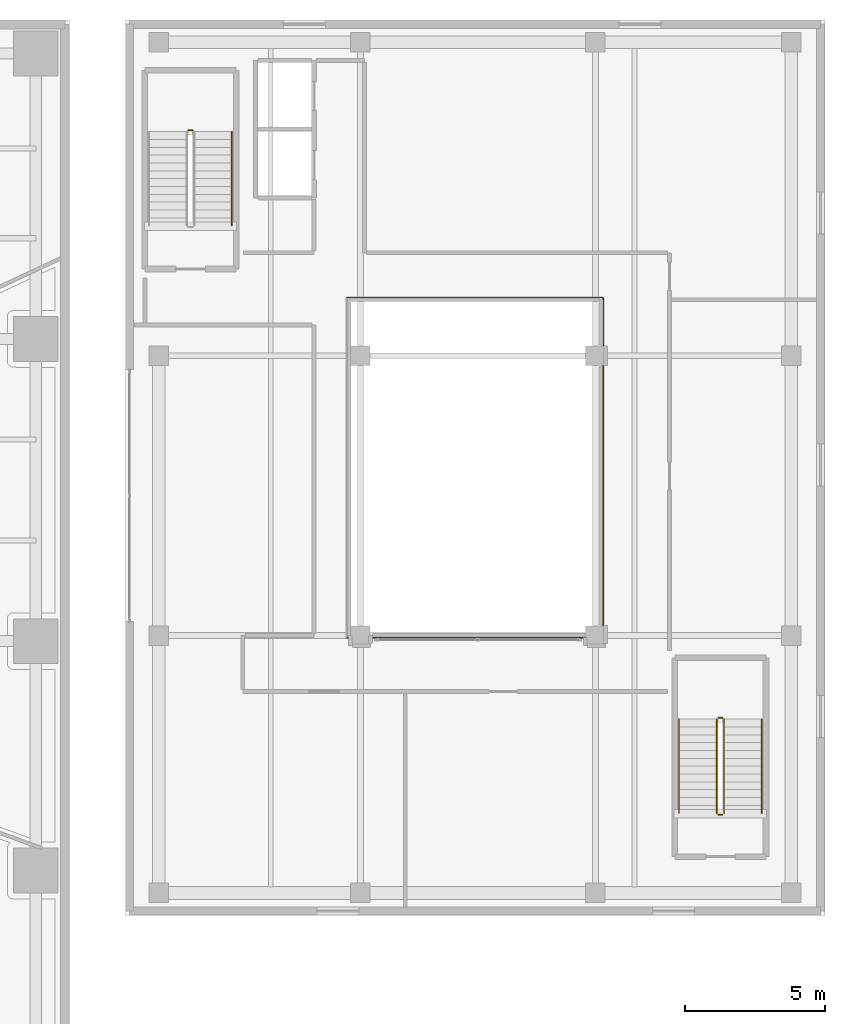
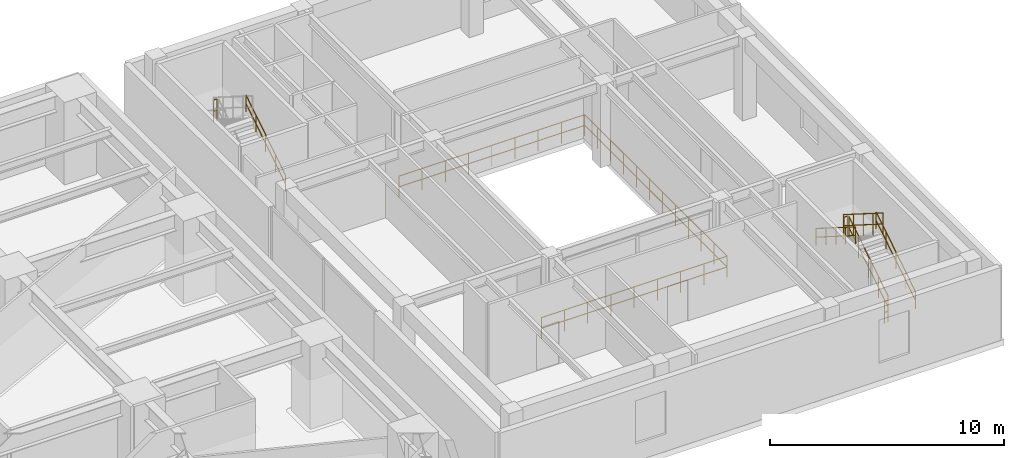
# One storey, part 25 of 25: 11 railings.
"""IFC4 building model written with IfcOpenShell, lengths in metres."""

from ifc_helpers import new_model, si_unit, direction, frame, origin, origin_2d, place, context, subcontext, project, spatial, circle, extrude, material, type_object, element, save


model = new_model("IFC4")

# Units and contexts
model_context = context("Model", 3, precision=1e-05, world=origin(), true_north=direction((0.0, 1.0)))
body_context = subcontext(model_context, "Body", "Model", "MODEL_VIEW")
ifc_project = project(units=[si_unit("LENGTHUNIT", "METRE"), si_unit("AREAUNIT", "SQUARE_METRE"), si_unit("VOLUMEUNIT", "CUBIC_METRE"), si_unit("PLANEANGLEUNIT", "RADIAN"), si_unit("MASSUNIT", "GRAM", prefix="KILO")], contexts=[model_context])

# Site, building, storey
site_placement = place(None, origin())
site = spatial("IfcSite", under=ifc_project, at=site_placement, CompositionType="ELEMENT")
building_placement = place(site_placement, origin())
building = spatial("IfcBuilding", under=site, at=building_placement, Name="Talar Marvaseh", CompositionType="ELEMENT")
storey_placement = place(building_placement, frame((0.0, 0.0, 5.199951171875)))
storey = spatial("IfcBuildingStorey", under=building, at=storey_placement, Name="L01", CompositionType="ELEMENT", Elevation=5.199951171875)

# Railings
ifc_material_1 = material(Name="Stainless Steel Grade 316", Category="steel")
railing_type_1 = type_object("IfcRailingType", Name="Brushed Stainless Wall Pitch Handrail 900", PredefinedType="HANDRAIL", material=ifc_material_1)
for number, where, name in (
    (1, (57.81005859375, 40.64990234375, 0.177001953125), "L01 MH-ST1 stair handrail 1"),
    (2, (76.75, 19.64990234375, 0.177001953125), "L01 MH-ST2 stair handrail 1"),
):
    element("IfcRailing", number, at=place(storey_placement, frame(where)), inside=storey, type_object=railing_type_1, Name=name, PredefinedType="HANDRAIL", context=body_context, shape_type="SweptSolid", body=[
        extrude(circle(Radius=0.02392578125, at=origin_2d()), frame((0.0, 0.0, 0.8759765625), z_axis=(0.0, 0.845389635667, 0.534150132366), x_axis=(-1.0, 0.0, 0.0)), (0.0, 0.0, 1.0), 3.974609375),
        extrude(circle(Radius=0.02392578125, at=origin_2d()), frame((0.0, 0.0, 0.42578125), z_axis=(0.0, 0.845389635667, 0.534150132366), x_axis=(-1.0, 0.0, 0.0)), (0.0, 0.0, 1.0), 3.974609375),
        extrude(circle(Radius=0.02099609375, at=origin_2d()), origin(), (0.0, 0.0, 1.0), 0.851806640625),
        extrude(circle(Radius=0.02099609375, at=origin_2d()), frame((0.0, 0.840087890625, 0.53076171875)), (0.0, 0.0, 1.0), 0.851806640625),
        extrude(circle(Radius=0.02099609375, at=origin_2d()), frame((0.0, 1.68017578125, 1.0615234375)), (0.0, 0.0, 1.0), 0.851806640625),
        extrude(circle(Radius=0.02099609375, at=origin_2d()), frame((0.0, 2.52001953125, 1.59228515625)), (0.0, 0.0, 1.0), 0.851806640625),
        extrude(circle(Radius=0.02099609375, at=origin_2d()), frame((0.0, 3.360107421875, 2.123046875)), (0.0, 0.0, 1.0), 0.851806640625),
    ])
railing_1_placement = place(storey_placement, frame((73.7900390625, 23.010009765625, 2.47705078125)))
element("IfcRailing", 3, at=railing_1_placement, inside=storey, type_object=railing_type_1, Name="L01 MH-ST2 stair handrail 2", PredefinedType="HANDRAIL", context=body_context, shape_type="SweptSolid", body=[
    extrude(circle(Radius=0.02392578125, at=origin_2d()), frame((0.0, 0.0, 0.8759765625), z_axis=(0.0, -0.845389635667, 0.534150132366), x_axis=(1.0, 0.0, 0.0)), (0.0, 0.0, 1.0), 3.974609375),
    extrude(circle(Radius=0.02392578125, at=origin_2d()), frame((0.0, 0.0, 0.42578125), z_axis=(0.0, -0.845389635667, 0.534150132366), x_axis=(1.0, 0.0, 0.0)), (0.0, 0.0, 1.0), 3.974609375),
    extrude(circle(Radius=0.02099609375, at=origin_2d()), origin(), (0.0, 0.0, 1.0), 0.851806640625),
    extrude(circle(Radius=0.02099609375, at=origin_2d()), frame((0.0, -0.840087890625, 0.53076171875)), (0.0, 0.0, 1.0), 0.851806640625),
    extrude(circle(Radius=0.02099609375, at=origin_2d()), frame((0.0, -1.68017578125, 1.0615234375)), (0.0, 0.0, 1.0), 0.851806640625),
    extrude(circle(Radius=0.02099609375, at=origin_2d()), frame((0.0, -2.52001953125, 1.59228515625)), (0.0, 0.0, 1.0), 0.851806640625),
    extrude(circle(Radius=0.02099609375, at=origin_2d()), frame((0.0, -3.360107421875, 2.123046875)), (0.0, 0.0, 1.0), 0.851806640625),
])
ifc_material_2 = material(Name="Tempered Clear Glass", Category="glass")
railing_type_2 = type_object("IfcRailingType", Name="Interior Atrium Edge Balustrade 1120", PredefinedType="BALUSTRADE", material=ifc_material_2)
railing_2_placement = place(storey_placement, frame((61.919921875, 25.919921875, 0.0)))
element("IfcRailing", 4, at=railing_2_placement, inside=storey, type_object=railing_type_2, Name="L01 Market Courtyard Void Balustrade 1", PredefinedType="BALUSTRADE", context=body_context, shape_type="SweptSolid", body=[
    extrude(circle(Radius=0.02392578125, at=origin_2d()), frame((0.0, 0.0, 1.09619140625), z_axis=(1.0, 0.0, 0.0), x_axis=(0.0, 1.0, 0.0)), (0.0, 0.0, 1.0), 9.16015625),
    extrude(circle(Radius=0.02392578125, at=origin_2d()), frame((0.0, 0.0, 0.5361328125), z_axis=(1.0, 0.0, 0.0), x_axis=(0.0, 1.0, 0.0)), (0.0, 0.0, 1.0), 9.16015625),
    extrude(circle(Radius=0.02099609375, at=origin_2d()), origin(), (0.0, 0.0, 1.0), 1.072021484375),
    extrude(circle(Radius=0.02099609375, at=origin_2d()), frame((1.14501953125, 0.0, 0.0)), (0.0, 0.0, 1.0), 1.072021484375),
    extrude(circle(Radius=0.02099609375, at=origin_2d()), frame((2.2900390625, 0.0, 0.0)), (0.0, 0.0, 1.0), 1.072021484375),
    extrude(circle(Radius=0.02099609375, at=origin_2d()), frame((3.43505859375, 0.0, 0.0)), (0.0, 0.0, 1.0), 1.072021484375),
    extrude(circle(Radius=0.02099609375, at=origin_2d()), frame((4.580078125, 0.0, 0.0)), (0.0, 0.0, 1.0), 1.072021484375),
    extrude(circle(Radius=0.02099609375, at=origin_2d()), frame((5.72509765625, 0.0, 0.0)), (0.0, 0.0, 1.0), 1.072021484375),
    extrude(circle(Radius=0.02099609375, at=origin_2d()), frame((6.8701171875, 0.0, 0.0)), (0.0, 0.0, 1.0), 1.072021484375),
    extrude(circle(Radius=0.02099609375, at=origin_2d()), frame((8.01513671875, 0.0, 0.0)), (0.0, 0.0, 1.0), 1.072021484375),
    extrude(circle(Radius=0.02099609375, at=origin_2d()), frame((9.16015625, 0.0, 0.0)), (0.0, 0.0, 1.0), 1.072021484375),
])
railing_3_placement = place(storey_placement, frame((71.080078125, 25.919921875, 0.0)))
element("IfcRailing", 5, at=railing_3_placement, inside=storey, type_object=railing_type_2, Name="L01 Market Courtyard Void Balustrade 2", PredefinedType="BALUSTRADE", context=body_context, shape_type="SweptSolid", body=[
    extrude(circle(Radius=0.02392578125, at=origin_2d()), frame((0.0, 0.0, 1.09619140625), z_axis=(0.0, 1.0, 0.0), x_axis=(-1.0, 0.0, 0.0)), (0.0, 0.0, 1.0), 12.16015625),
    extrude(circle(Radius=0.02392578125, at=origin_2d()), frame((0.0, 0.0, 0.5361328125), z_axis=(0.0, 1.0, 0.0), x_axis=(-1.0, 0.0, 0.0)), (0.0, 0.0, 1.0), 12.16015625),
    extrude(circle(Radius=0.02099609375, at=origin_2d()), origin(), (0.0, 0.0, 1.0), 1.072021484375),
    extrude(circle(Radius=0.02099609375, at=origin_2d()), frame((0.0, 1.10546875, 0.0)), (0.0, 0.0, 1.0), 1.072021484375),
    extrude(circle(Radius=0.02099609375, at=origin_2d()), frame((0.0, 2.2109375, 0.0)), (0.0, 0.0, 1.0), 1.072021484375),
    extrude(circle(Radius=0.02099609375, at=origin_2d()), frame((0.0, 3.31640625, 0.0)), (0.0, 0.0, 1.0), 1.072021484375),
    extrude(circle(Radius=0.02099609375, at=origin_2d()), frame((0.0, 4.421875, 0.0)), (0.0, 0.0, 1.0), 1.072021484375),
    extrude(circle(Radius=0.02099609375, at=origin_2d()), frame((0.0, 5.52734375, 0.0)), (0.0, 0.0, 1.0), 1.072021484375),
    extrude(circle(Radius=0.02099609375, at=origin_2d()), frame((0.0, 6.6328125, 0.0)), (0.0, 0.0, 1.0), 1.072021484375),
    extrude(circle(Radius=0.02099609375, at=origin_2d()), frame((0.0, 7.73828125, 0.0)), (0.0, 0.0, 1.0), 1.072021484375),
    extrude(circle(Radius=0.02099609375, at=origin_2d()), frame((0.0, 8.84375, 0.0)), (0.0, 0.0, 1.0), 1.072021484375),
    extrude(circle(Radius=0.02099609375, at=origin_2d()), frame((0.0, 9.94921875, 0.0)), (0.0, 0.0, 1.0), 1.072021484375),
    extrude(circle(Radius=0.02099609375, at=origin_2d()), frame((0.0, 11.0546875, 0.0)), (0.0, 0.0, 1.0), 1.072021484375),
    extrude(circle(Radius=0.02099609375, at=origin_2d()), frame((0.0, 12.16015625, 0.0)), (0.0, 0.0, 1.0), 1.072021484375),
])
railing_4_placement = place(storey_placement, frame((71.080078125, 38.080078125, 0.0)))
element("IfcRailing", 6, at=railing_4_placement, inside=storey, type_object=railing_type_2, Name="L01 Market Courtyard Void Balustrade 3", PredefinedType="BALUSTRADE", context=body_context, shape_type="SweptSolid", body=[
    extrude(circle(Radius=0.02392578125, at=origin_2d()), frame((0.0, 0.0, 1.09619140625), z_axis=(-1.0, 0.0, 0.0), x_axis=(0.0, -1.0, 0.0)), (0.0, 0.0, 1.0), 9.16015625),
    extrude(circle(Radius=0.02392578125, at=origin_2d()), frame((0.0, 0.0, 0.5361328125), z_axis=(-1.0, 0.0, 0.0), x_axis=(0.0, -1.0, 0.0)), (0.0, 0.0, 1.0), 9.16015625),
    extrude(circle(Radius=0.02099609375, at=origin_2d()), origin(), (0.0, 0.0, 1.0), 1.072021484375),
    extrude(circle(Radius=0.02099609375, at=origin_2d()), frame((-1.14501953125, 0.0, 0.0)), (0.0, 0.0, 1.0), 1.072021484375),
    extrude(circle(Radius=0.02099609375, at=origin_2d()), frame((-2.2900390625, 0.0, 0.0)), (0.0, 0.0, 1.0), 1.072021484375),
    extrude(circle(Radius=0.02099609375, at=origin_2d()), frame((-3.43505859375, 0.0, 0.0)), (0.0, 0.0, 1.0), 1.072021484375),
    extrude(circle(Radius=0.02099609375, at=origin_2d()), frame((-4.580078125, 0.0, 0.0)), (0.0, 0.0, 1.0), 1.072021484375),
    extrude(circle(Radius=0.02099609375, at=origin_2d()), frame((-5.72509765625, 0.0, 0.0)), (0.0, 0.0, 1.0), 1.072021484375),
    extrude(circle(Radius=0.02099609375, at=origin_2d()), frame((-6.8701171875, 0.0, 0.0)), (0.0, 0.0, 1.0), 1.072021484375),
    extrude(circle(Radius=0.02099609375, at=origin_2d()), frame((-8.01513671875, 0.0, 0.0)), (0.0, 0.0, 1.0), 1.072021484375),
    extrude(circle(Radius=0.02099609375, at=origin_2d()), frame((-9.16015625, 0.0, 0.0)), (0.0, 0.0, 1.0), 1.072021484375),
])
railing_type_3 = type_object("IfcRailingType", Name="Painted Steel Core Stair Well Guardrail 1150", PredefinedType="GUARDRAIL", material=ifc_material_1)
railing_5_placement = place(storey_placement, frame((56.409912109375, 44.06005859375, 2.300048828125)))
element("IfcRailing", 7, at=railing_5_placement, inside=storey, type_object=railing_type_3, Name="L01 MH-ST1 stair guard 2", PredefinedType="GUARDRAIL", context=body_context, shape_type="SweptSolid", body=[
    extrude(circle(Radius=0.02392578125, at=origin_2d()), frame((0.0, 0.0, 1.1259765625), z_axis=(-1.0, 0.0, 0.0), x_axis=(0.0, -1.0, 0.0)), (0.0, 0.0, 1.0), 0.159912109375),
    extrude(circle(Radius=0.02392578125, at=origin_2d()), frame((0.0, 0.0, 0.55078125), z_axis=(-1.0, 0.0, 0.0), x_axis=(0.0, -1.0, 0.0)), (0.0, 0.0, 1.0), 0.159912109375),
    extrude(circle(Radius=0.02099609375, at=origin_2d()), origin(), (0.0, 0.0, 1.0), 1.101806640625),
    extrude(circle(Radius=0.02099609375, at=origin_2d()), frame((-0.159912109375, 0.0, 0.0)), (0.0, 0.0, 1.0), 1.101806640625),
])
railing_6_placement = place(storey_placement, frame((75.39990234375, 19.64990234375, 0.177001953125)))
element("IfcRailing", 8, at=railing_6_placement, inside=storey, type_object=railing_type_3, Name="L01 MH-ST2 stair guard 1", PredefinedType="GUARDRAIL", context=body_context, shape_type="SweptSolid", body=[
    extrude(circle(Radius=0.02392578125, at=origin_2d()), frame((0.0, 0.0, 1.1259765625), z_axis=(0.0, 0.845389635667, 0.534150132366), x_axis=(-1.0, 0.0, 0.0)), (0.0, 0.0, 1.0), 3.974609375),
    extrude(circle(Radius=0.02392578125, at=origin_2d()), frame((0.0, 0.0, 0.55078125), z_axis=(0.0, 0.845389635667, 0.534150132366), x_axis=(-1.0, 0.0, 0.0)), (0.0, 0.0, 1.0), 3.974609375),
    extrude(circle(Radius=0.02099609375, at=origin_2d()), origin(), (0.0, 0.0, 1.0), 1.101806640625),
    extrude(circle(Radius=0.02099609375, at=origin_2d()), frame((0.0, 0.840087890625, 0.53076171875)), (0.0, 0.0, 1.0), 1.101806640625),
    extrude(circle(Radius=0.02099609375, at=origin_2d()), frame((0.0, 1.68017578125, 1.0615234375)), (0.0, 0.0, 1.0), 1.101806640625),
    extrude(circle(Radius=0.02099609375, at=origin_2d()), frame((0.0, 2.52001953125, 1.59228515625)), (0.0, 0.0, 1.0), 1.101806640625),
    extrude(circle(Radius=0.02099609375, at=origin_2d()), frame((0.0, 3.360107421875, 2.123046875)), (0.0, 0.0, 1.0), 1.101806640625),
])
railing_7_placement = place(storey_placement, frame((75.35009765625, 23.06005859375, 2.300048828125)))
element("IfcRailing", 9, at=railing_7_placement, inside=storey, type_object=railing_type_3, Name="L01 MH-ST2 stair guard 2", PredefinedType="GUARDRAIL", context=body_context, shape_type="SweptSolid", body=[
    extrude(circle(Radius=0.02392578125, at=origin_2d()), frame((0.0, 0.0, 1.1259765625), z_axis=(-1.0, 0.0, 0.0), x_axis=(0.0, -1.0, 0.0)), (0.0, 0.0, 1.0), 0.16015625),
    extrude(circle(Radius=0.02392578125, at=origin_2d()), frame((0.0, 0.0, 0.55078125), z_axis=(-1.0, 0.0, 0.0), x_axis=(0.0, -1.0, 0.0)), (0.0, 0.0, 1.0), 0.16015625),
    extrude(circle(Radius=0.02099609375, at=origin_2d()), origin(), (0.0, 0.0, 1.0), 1.101806640625),
    extrude(circle(Radius=0.02099609375, at=origin_2d()), frame((-0.16015625, 0.0, 0.0)), (0.0, 0.0, 1.0), 1.101806640625),
])
railing_8_placement = place(storey_placement, frame((75.139892578125, 23.010009765625, 2.47705078125)))
element("IfcRailing", 10, at=railing_8_placement, inside=storey, type_object=railing_type_3, Name="L01 MH-ST2 stair guard 3", PredefinedType="GUARDRAIL", context=body_context, shape_type="SweptSolid", body=[
    extrude(circle(Radius=0.02392578125, at=origin_2d()), frame((0.0, 0.0, 1.1259765625), z_axis=(0.0, -0.845389635667, 0.534150132366), x_axis=(1.0, 0.0, 0.0)), (0.0, 0.0, 1.0), 3.974609375),
    extrude(circle(Radius=0.02392578125, at=origin_2d()), frame((0.0, 0.0, 0.55078125), z_axis=(0.0, -0.845389635667, 0.534150132366), x_axis=(1.0, 0.0, 0.0)), (0.0, 0.0, 1.0), 3.974609375),
    extrude(circle(Radius=0.02099609375, at=origin_2d()), origin(), (0.0, 0.0, 1.0), 1.101806640625),
    extrude(circle(Radius=0.02099609375, at=origin_2d()), frame((0.0, -0.840087890625, 0.53076171875)), (0.0, 0.0, 1.0), 1.101806640625),
    extrude(circle(Radius=0.02099609375, at=origin_2d()), frame((0.0, -1.68017578125, 1.0615234375)), (0.0, 0.0, 1.0), 1.101806640625),
    extrude(circle(Radius=0.02099609375, at=origin_2d()), frame((0.0, -2.52001953125, 1.59228515625)), (0.0, 0.0, 1.0), 1.101806640625),
    extrude(circle(Radius=0.02099609375, at=origin_2d()), frame((0.0, -3.360107421875, 2.123046875)), (0.0, 0.0, 1.0), 1.101806640625),
])
railing_9_placement = place(storey_placement, frame((75.35009765625, 19.60009765625, 0.0)))
element("IfcRailing", 11, at=railing_9_placement, inside=storey, type_object=railing_type_3, Name="L01 MH-ST2 stair guard 4", PredefinedType="GUARDRAIL", context=body_context, shape_type="SweptSolid", body=[
    extrude(circle(Radius=0.02392578125, at=origin_2d()), frame((0.0, 0.0, 1.1259765625), z_axis=(-1.0, 0.0, 0.0), x_axis=(0.0, -1.0, 0.0)), (0.0, 0.0, 1.0), 0.16015625),
    extrude(circle(Radius=0.02392578125, at=origin_2d()), frame((0.0, 0.0, 0.55078125), z_axis=(-1.0, 0.0, 0.0), x_axis=(0.0, -1.0, 0.0)), (0.0, 0.0, 1.0), 0.16015625),
    extrude(circle(Radius=0.02099609375, at=origin_2d()), origin(), (0.0, 0.0, 1.0), 1.101806640625),
    extrude(circle(Radius=0.02099609375, at=origin_2d()), frame((-0.16015625, 0.0, 0.0)), (0.0, 0.0, 1.0), 1.101806640625),
])

save(model, "model.ifc")
